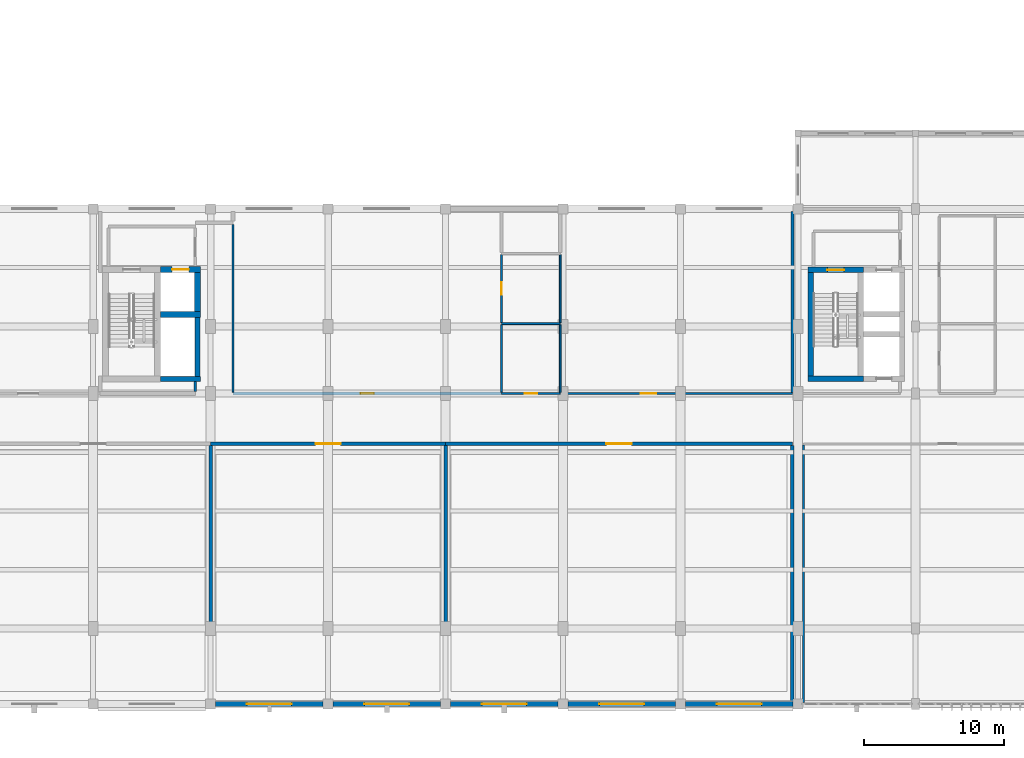
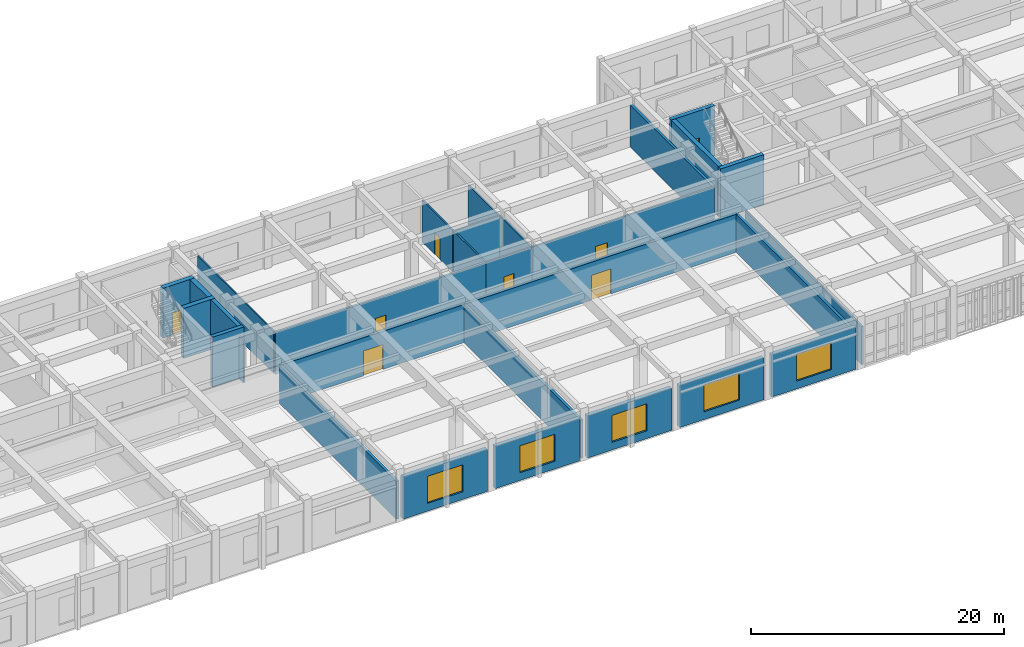
# One storey, part 87 of 106: 30 walls, 8 doors, 5 windows, 13 openings.
"""IFC4 building model written with IfcOpenShell, lengths in metres."""

from ifc_helpers import new_model, si_unit, direction, frame, frame_2d, origin, place, context, subcontext, project, spatial, rectangle, extrude, material, layer, layer_set, type_object, element, fill, save


model = new_model("IFC4")

# Units and contexts
model_context = context("Model", 3, precision=1e-05, world=origin(), true_north=direction((0.0, 1.0)))
body_context = subcontext(model_context, "Body", "Model", "MODEL_VIEW")
ifc_project = project(units=[si_unit("LENGTHUNIT", "METRE"), si_unit("AREAUNIT", "SQUARE_METRE"), si_unit("VOLUMEUNIT", "CUBIC_METRE"), si_unit("PLANEANGLEUNIT", "RADIAN"), si_unit("MASSUNIT", "GRAM", prefix="KILO")], contexts=[model_context])

# Site, building, storey
site_placement = place(None, origin())
site = spatial("IfcSite", under=ifc_project, at=site_placement, CompositionType="ELEMENT")
building_placement = place(site_placement, origin())
building = spatial("IfcBuilding", under=site, at=building_placement, Name="Krzemoval Escarpment Law Courts", CompositionType="ELEMENT")
storey_placement = place(building_placement, frame((0.0, 0.0, 5.10009765625)))
storey = spatial("IfcBuildingStorey", under=building, at=storey_placement, Name="L01", CompositionType="ELEMENT", Elevation=5.10009765625)

# Wall, opening, window
ifc_material_1 = material(Name="Precast concrete C40/50", Category="concrete")
ifc_layer_1 = layer(ifc_material_1, 0.360107421875)
ifc_layer_set_1 = layer_set([ifc_layer_1], Name="Precast concrete C40/50")
wall_type_1 = type_object("IfcWallType", Name="WL-EXT-360", PredefinedType="SOLIDWALL", material=ifc_layer_set_1)
wall_1_placement = place(storey_placement, frame((108.85009765625, 0.0, 0.0), z_axis=(0.0, 0.0, 1.0), x_axis=(-1.0, 0.0, 0.0)))
wall_1 = element("IfcWall", 1, at=wall_1_placement, inside=storey, type_object=wall_type_1, Name="Exterior Wall EW-L01-0227", PredefinedType="SOLIDWALL", context=body_context, shape_type="SweptSolid", body=[
    extrude(rectangle(XDim=7.7001953125, YDim=0.360107421875, at=frame_2d((3.85009765625, 0.0))), origin(), (0.0, 0.0, 1.0), 4.06982421875),
])
opening_1_placement = place(wall_1_placement, frame((2.25, 0.0, 0.75)))
opening_1 = element("IfcOpeningElement", 2, at=opening_1_placement, cuts=wall_1, Name="Opening WN-L01-0228", PredefinedType="OPENING", context=body_context, shape_type="SweptSolid", body=[
    extrude(rectangle(XDim=3.199951171875, YDim=2.60009765625, at=frame_2d((1.60009765625, 1.300048828125))), frame((0.0, 0.19505, 0.0), z_axis=(0.0, -1.0, 0.0), x_axis=(1.0, 0.0, 0.0)), (0.0, 0.0, 1.0), 0.39011),
])
ifc_material_2 = material(Name="Thermally Broken Aluminium Frame with Triple Low-E Acoustic Glass", Category="aluminium")
window_type = type_object("IfcWindowType", Name="WN-3200x2600", PartitioningType="SINGLE_PANEL", PredefinedType="WINDOW", material=ifc_material_2)
window_1_placement = place(opening_1_placement, origin())
window_1 = element("IfcWindow", 3, at=window_1_placement, inside=storey, type_object=window_type, Name="Facade Window WN-L01-0228", OverallHeight=2.60009765625, OverallWidth=3.199951171875, PartitioningType="SINGLE_PANEL", PredefinedType="WINDOW", context=body_context, shape_type="SweptSolid", body=[
    extrude(rectangle(XDim=3.199951171875, YDim=2.60009765625, at=frame_2d((1.60009765625, 1.300048828125))), frame((0.0, 0.030029296875, 0.0), z_axis=(0.0, -1.0, 0.0), x_axis=(1.0, 0.0, 0.0)), (0.0, 0.0, 1.0), 0.06005859375),
])
fill(opening_1, window_1)

wall_2_placement = place(storey_placement, frame((100.449951171875, 0.0, 0.0), z_axis=(0.0, 0.0, 1.0), x_axis=(-1.0, 0.0, 0.0)))
wall_2 = element("IfcWall", 4, at=wall_2_placement, inside=storey, type_object=wall_type_1, Name="Exterior Wall EW-L01-0228", PredefinedType="SOLIDWALL", context=body_context, shape_type="SweptSolid", body=[
    extrude(rectangle(XDim=7.699951171875, YDim=0.360107421875, at=frame_2d((3.85009765625, 0.0))), origin(), (0.0, 0.0, 1.0), 4.06982421875),
])
opening_2_placement = place(wall_2_placement, frame((2.25, 0.0, 0.75)))
opening_2 = element("IfcOpeningElement", 5, at=opening_2_placement, cuts=wall_2, Name="Opening WN-L01-0229", PredefinedType="OPENING", context=body_context, shape_type="SweptSolid", body=[
    extrude(rectangle(XDim=3.199951171875, YDim=2.60009765625, at=frame_2d((1.60009765625, 1.300048828125))), frame((0.0, 0.19505, 0.0), z_axis=(0.0, -1.0, 0.0), x_axis=(1.0, 0.0, 0.0)), (0.0, 0.0, 1.0), 0.39011),
])
window_2_placement = place(opening_2_placement, origin())
window_2 = element("IfcWindow", 6, at=window_2_placement, inside=storey, type_object=window_type, Name="Facade Window WN-L01-0229", OverallHeight=2.60009765625, OverallWidth=3.199951171875, PartitioningType="SINGLE_PANEL", PredefinedType="WINDOW", context=body_context, shape_type="SweptSolid", body=[
    extrude(rectangle(XDim=3.199951171875, YDim=2.60009765625, at=frame_2d((1.60009765625, 1.300048828125))), frame((0.0, 0.030029296875, 0.0), z_axis=(0.0, -1.0, 0.0), x_axis=(1.0, 0.0, 0.0)), (0.0, 0.0, 1.0), 0.06005859375),
])
fill(opening_2, window_2)

wall_3_placement = place(storey_placement, frame((92.050048828125, 0.0, 0.0), z_axis=(0.0, 0.0, 1.0), x_axis=(-1.0, 0.0, 0.0)))
wall_3 = element("IfcWall", 7, at=wall_3_placement, inside=storey, type_object=wall_type_1, Name="Exterior Wall EW-L01-0229", PredefinedType="SOLIDWALL", context=body_context, shape_type="SweptSolid", body=[
    extrude(rectangle(XDim=7.699951171875, YDim=0.360107421875, at=frame_2d((3.85009765625, 0.0))), origin(), (0.0, 0.0, 1.0), 4.06982421875),
])
opening_3_placement = place(wall_3_placement, frame((2.25, 0.0, 0.75)))
opening_3 = element("IfcOpeningElement", 8, at=opening_3_placement, cuts=wall_3, Name="Opening WN-L01-0230", PredefinedType="OPENING", context=body_context, shape_type="SweptSolid", body=[
    extrude(rectangle(XDim=3.199951171875, YDim=2.60009765625, at=frame_2d((1.60009765625, 1.300048828125))), frame((0.0, 0.19505, 0.0), z_axis=(0.0, -1.0, 0.0), x_axis=(1.0, 0.0, 0.0)), (0.0, 0.0, 1.0), 0.39011),
])
window_3_placement = place(opening_3_placement, origin())
window_3 = element("IfcWindow", 9, at=window_3_placement, inside=storey, type_object=window_type, Name="Facade Window WN-L01-0230", OverallHeight=2.60009765625, OverallWidth=3.199951171875, PartitioningType="SINGLE_PANEL", PredefinedType="WINDOW", context=body_context, shape_type="SweptSolid", body=[
    extrude(rectangle(XDim=3.199951171875, YDim=2.60009765625, at=frame_2d((1.60009765625, 1.300048828125))), frame((0.0, 0.030029296875, 0.0), z_axis=(0.0, -1.0, 0.0), x_axis=(1.0, 0.0, 0.0)), (0.0, 0.0, 1.0), 0.06005859375),
])
fill(opening_3, window_3)

wall_4_placement = place(storey_placement, frame((83.64990234375, 0.0, 0.0), z_axis=(0.0, 0.0, 1.0), x_axis=(-1.0, 0.0, 0.0)))
wall_4 = element("IfcWall", 10, at=wall_4_placement, inside=storey, type_object=wall_type_1, Name="Exterior Wall EW-L01-0230", PredefinedType="SOLIDWALL", context=body_context, shape_type="SweptSolid", body=[
    extrude(rectangle(XDim=7.699951171875, YDim=0.360107421875, at=frame_2d((3.85009765625, 0.0))), origin(), (0.0, 0.0, 1.0), 4.06982421875),
])
opening_4_placement = place(wall_4_placement, frame((2.25, 0.0, 0.75)))
opening_4 = element("IfcOpeningElement", 11, at=opening_4_placement, cuts=wall_4, Name="Opening WN-L01-0231", PredefinedType="OPENING", context=body_context, shape_type="SweptSolid", body=[
    extrude(rectangle(XDim=3.199951171875, YDim=2.60009765625, at=frame_2d((1.60009765625, 1.300048828125))), frame((0.0, 0.19505, 0.0), z_axis=(0.0, -1.0, 0.0), x_axis=(1.0, 0.0, 0.0)), (0.0, 0.0, 1.0), 0.39011),
])
window_4_placement = place(opening_4_placement, origin())
window_4 = element("IfcWindow", 12, at=window_4_placement, inside=storey, type_object=window_type, Name="Facade Window WN-L01-0231", OverallHeight=2.60009765625, OverallWidth=3.199951171875, PartitioningType="SINGLE_PANEL", PredefinedType="WINDOW", context=body_context, shape_type="SweptSolid", body=[
    extrude(rectangle(XDim=3.199951171875, YDim=2.60009765625, at=frame_2d((1.60009765625, 1.300048828125))), frame((0.0, 0.030029296875, 0.0), z_axis=(0.0, -1.0, 0.0), x_axis=(1.0, 0.0, 0.0)), (0.0, 0.0, 1.0), 0.06005859375),
])
fill(opening_4, window_4)

wall_5_placement = place(storey_placement, frame((75.25, 0.0, 0.0), z_axis=(0.0, 0.0, 1.0), x_axis=(-1.0, 0.0, 0.0)))
wall_5 = element("IfcWall", 13, at=wall_5_placement, inside=storey, type_object=wall_type_1, Name="Exterior Wall EW-L01-0231", PredefinedType="SOLIDWALL", context=body_context, shape_type="SweptSolid", body=[
    extrude(rectangle(XDim=7.699951171875, YDim=0.360107421875, at=frame_2d((3.85009765625, 0.0))), origin(), (0.0, 0.0, 1.0), 4.06982421875),
])
opening_5_placement = place(wall_5_placement, frame((2.25, 0.0, 0.75)))
opening_5 = element("IfcOpeningElement", 14, at=opening_5_placement, cuts=wall_5, Name="Opening WN-L01-0232", PredefinedType="OPENING", context=body_context, shape_type="SweptSolid", body=[
    extrude(rectangle(XDim=3.199951171875, YDim=2.60009765625, at=frame_2d((1.60009765625, 1.300048828125))), frame((0.0, 0.19505, 0.0), z_axis=(0.0, -1.0, 0.0), x_axis=(1.0, 0.0, 0.0)), (0.0, 0.0, 1.0), 0.39011),
])
window_5_placement = place(opening_5_placement, origin())
window_5 = element("IfcWindow", 15, at=window_5_placement, inside=storey, type_object=window_type, Name="Facade Window WN-L01-0232", OverallHeight=2.60009765625, OverallWidth=3.199951171875, PartitioningType="SINGLE_PANEL", PredefinedType="WINDOW", context=body_context, shape_type="SweptSolid", body=[
    extrude(rectangle(XDim=3.199951171875, YDim=2.60009765625, at=frame_2d((1.60009765625, 1.300048828125))), frame((0.0, 0.030029296875, 0.0), z_axis=(0.0, -1.0, 0.0), x_axis=(1.0, 0.0, 0.0)), (0.0, 0.0, 1.0), 0.06005859375),
])
fill(opening_5, window_5)

# Wall
ifc_material_3 = material(Name="Light Internal Subdivision Partition", Category="gypsum")
ifc_layer_2 = layer(ifc_material_3, 0.114990234375)
ifc_layer_set_2 = layer_set([ifc_layer_2], Name="Light Internal Subdivision Partition")
wall_type_2 = type_object("IfcWallType", Name="WL-PRT-115", PredefinedType="PARTITIONING", material=ifc_layer_set_2)
wall_6_placement = place(storey_placement, frame((68.800048828125, 22.302001953125, 0.0), z_axis=(0.0, 0.0, 1.0), x_axis=(0.0, 1.0, 0.0)))
element("IfcWall", 16, at=wall_6_placement, inside=storey, type_object=wall_type_2, Name="Interior Partition PW-L01-0326", PredefinedType="PARTITIONING", context=body_context, shape_type="SweptSolid", body=[
    extrude(rectangle(XDim=11.97607421875, YDim=0.114990234375, at=frame_2d((5.988037109375, 0.0))), origin(), (0.0, 0.0, 1.0), 4.06982421875),
])

# Wall, opening, door
ifc_material_4 = material(Name="Sanitary Moisture-Resistant Partition", Category="gypsum")
ifc_layer_3 = layer(ifc_material_4, 0.139892578125)
ifc_layer_set_3 = layer_set([ifc_layer_3], Name="Sanitary Moisture-Resistant Partition")
wall_type_3 = type_object("IfcWallType", Name="WL-PRT-140", PredefinedType="PARTITIONING", material=ifc_layer_set_3)
wall_7_placement = place(storey_placement, frame((88.0, 22.199951171875, 0.0), z_axis=(0.0, 0.0, 1.0), x_axis=(1.0, 0.0, 0.0)))
wall_7 = element("IfcWall", 17, at=wall_7_placement, inside=storey, type_object=wall_type_3, Name="Interior Partition PW-L01-0241", PredefinedType="PARTITIONING", context=body_context, shape_type="SweptSolid", body=[
    extrude(rectangle(XDim=4.199951171875, YDim=0.139892578125, at=frame_2d((2.10009765625, 0.0))), origin(), (0.0, 0.0, 1.0), 4.06982421875),
])
opening_6_placement = place(wall_7_placement, frame((1.64990234375, 0.0, 0.0)))
opening_6 = element("IfcOpeningElement", 18, at=opening_6_placement, cuts=wall_7, Name="Opening D-L01-0099", PredefinedType="OPENING", context=body_context, shape_type="SweptSolid", body=[
    extrude(rectangle(XDim=0.89990234375, YDim=2.10009765625, at=frame_2d((0.449951171875, 1.050048828125))), frame((0.0, 0.08495, 0.0), z_axis=(0.0, -1.0, 0.0), x_axis=(1.0, 0.0, 0.0)), (0.0, 0.0, 1.0), 0.16989),
])
ifc_material_5 = material(Name="Engineered Solid-Core Oak Acoustic Timber", Category="wood")
door_type_1 = type_object("IfcDoorType", Name="DR-INT-900x2100", OperationType="SINGLE_SWING_LEFT", PredefinedType="DOOR", material=ifc_material_5)
door_1_placement = place(opening_6_placement, origin())
door_1 = element("IfcDoor", 19, at=door_1_placement, inside=storey, type_object=door_type_1, Name="Room Door D-L01-0099", OperationType="SINGLE_SWING_LEFT", OverallHeight=2.10009765625, OverallWidth=0.89990234375, PredefinedType="DOOR", context=body_context, shape_type="SweptSolid", body=[
    extrude(rectangle(XDim=0.89990234375, YDim=2.10009765625, at=frame_2d((0.449951171875, 1.050048828125))), frame((0.0, 0.02490234375, 0.0), z_axis=(0.0, -1.0, 0.0), x_axis=(1.0, 0.0, 0.0)), (0.0, 0.0, 1.0), 0.050048828125),
])
fill(opening_6, door_1)

# Walls
wall_8_placement = place(storey_placement, frame((88.0, 27.199951171875, 0.0), z_axis=(0.0, 0.0, 1.0), x_axis=(1.0, 0.0, 0.0)))
element("IfcWall", 20, at=wall_8_placement, inside=storey, type_object=wall_type_3, Name="Interior Partition PW-L01-0246", PredefinedType="PARTITIONING", context=body_context, shape_type="SweptSolid", body=[
    extrude(rectangle(XDim=4.199951171875, YDim=0.139892578125, at=frame_2d((2.10009765625, 0.0))), origin(), (0.0, 0.0, 1.0), 4.06982421875),
])
wall_9_placement = place(storey_placement, frame((88.0, 22.302001953125, 0.0), z_axis=(0.0, 0.0, 1.0), x_axis=(0.0, 1.0, 0.0)))
element("IfcWall", 21, at=wall_9_placement, inside=storey, type_object=wall_type_3, Name="Interior Partition PW-L01-0330", PredefinedType="PARTITIONING", context=body_context, shape_type="SweptSolid", body=[
    extrude(rectangle(XDim=4.825927734375, YDim=0.139892578125, at=frame_2d((2.4130859375, 0.0))), origin(), (0.0, 0.0, 1.0), 4.06982421875),
])

# Wall, opening, door
wall_10_placement = place(storey_placement, frame((88.0, 27.27197265625, 0.0), z_axis=(0.0, 0.0, 1.0), x_axis=(0.0, 1.0, 0.0)))
wall_10 = element("IfcWall", 22, at=wall_10_placement, inside=storey, type_object=wall_type_3, Name="Interior Partition PW-L01-0331", PredefinedType="PARTITIONING", context=body_context, shape_type="SweptSolid", body=[
    extrude(rectangle(XDim=4.85595703125, YDim=0.139892578125, at=frame_2d((2.427978515625, 0.0))), origin(), (0.0, 0.0, 1.0), 4.06982421875),
])
opening_7_placement = place(wall_10_placement, frame((1.97802734375, 0.0, 0.0)))
opening_7 = element("IfcOpeningElement", 23, at=opening_7_placement, cuts=wall_10, Name="Opening D-L01-0100", PredefinedType="OPENING", context=body_context, shape_type="SweptSolid", body=[
    extrude(rectangle(XDim=0.89990234375, YDim=2.10009765625, at=frame_2d((0.449951171875, 1.050048828125))), frame((0.0, 0.08495, 0.0), z_axis=(0.0, -1.0, 0.0), x_axis=(1.0, 0.0, 0.0)), (0.0, 0.0, 1.0), 0.16989),
])
door_2_placement = place(opening_7_placement, origin())
door_2 = element("IfcDoor", 24, at=door_2_placement, inside=storey, type_object=door_type_1, Name="Room Door D-L01-0100", OperationType="SINGLE_SWING_RIGHT", OverallHeight=2.10009765625, OverallWidth=0.89990234375, PredefinedType="DOOR", context=body_context, shape_type="SweptSolid", body=[
    extrude(rectangle(XDim=0.89990234375, YDim=2.10009765625, at=frame_2d((0.449951171875, 1.050048828125))), frame((0.0, 0.02490234375, 0.0), z_axis=(0.0, -1.0, 0.0), x_axis=(1.0, 0.0, 0.0)), (0.0, 0.0, 1.0), 0.050048828125),
])
fill(opening_7, door_2)

# Walls
wall_11_placement = place(storey_placement, frame((92.199951171875, 22.281982421875, 0.0), z_axis=(0.0, 0.0, 1.0), x_axis=(0.0, 1.0, 0.0)))
element("IfcWall", 25, at=wall_11_placement, inside=storey, type_object=wall_type_3, Name="Interior Partition PW-L01-0332", PredefinedType="PARTITIONING", context=body_context, shape_type="SweptSolid", body=[
    extrude(rectangle(XDim=4.845947265625, YDim=0.139892578125, at=frame_2d((2.4228515625, 0.0))), origin(), (0.0, 0.0, 1.0), 4.06982421875),
])
wall_12_placement = place(storey_placement, frame((92.199951171875, 27.27197265625, 0.0), z_axis=(0.0, 0.0, 1.0), x_axis=(0.0, 1.0, 0.0)))
element("IfcWall", 26, at=wall_12_placement, inside=storey, type_object=wall_type_3, Name="Interior Partition PW-L01-0333", PredefinedType="PARTITIONING", context=body_context, shape_type="SweptSolid", body=[
    extrude(rectangle(XDim=4.85595703125, YDim=0.139892578125, at=frame_2d((2.427978515625, 0.0))), origin(), (0.0, 0.0, 1.0), 4.02001953125),
])
ifc_material_6 = material(Name="Office Acoustic Partition Wall", Category="gypsum")
ifc_layer_4 = layer(ifc_material_6, 0.14990234375)
ifc_layer_set_4 = layer_set([ifc_layer_4], Name="Office Acoustic Partition Wall")
wall_type_4 = type_object("IfcWallType", Name="WL-PRT-150", PredefinedType="PARTITIONING", material=ifc_layer_set_4)
wall_13_placement = place(storey_placement, frame((66.10009765625, 22.33203125, 0.0), z_axis=(0.0, 0.0, 1.0), x_axis=(0.0, 1.0, 0.0)))
element("IfcWall", 27, at=wall_13_placement, inside=storey, type_object=wall_type_4, Name="Interior Partition PW-L01-0323", PredefinedType="PARTITIONING", context=body_context, shape_type="SweptSolid", body=[
    extrude(rectangle(XDim=0.73095703125, YDim=0.14990234375, at=frame_2d((0.365478515625, 0.0))), origin(), (0.0, 0.0, 1.0), 4.06982421875),
])

# Wall, opening, door
ifc_material_7 = material(Name="Jury Suite Partition Assembly", Category="gypsum")
ifc_layer_5 = layer(ifc_material_7, 0.159912109375)
ifc_layer_set_5 = layer_set([ifc_layer_5], Name="Jury Suite Partition Assembly")
wall_type_5 = type_object("IfcWallType", Name="WL-PRT-160", PredefinedType="PARTITIONING", material=ifc_layer_set_5)
wall_14_placement = place(storey_placement, frame((92.199951171875, 22.199951171875, 0.0), z_axis=(0.0, 0.0, 1.0), x_axis=(1.0, 0.0, 0.0)))
wall_14 = element("IfcWall", 28, at=wall_14_placement, inside=storey, type_object=wall_type_5, Name="Interior Partition PW-L01-0242", PredefinedType="PARTITIONING", context=body_context, shape_type="SweptSolid", body=[
    extrude(rectangle(XDim=16.60009765625, YDim=0.159912109375, at=frame_2d((8.300048828125, 0.0))), origin(), (0.0, 0.0, 1.0), 4.06982421875),
])
opening_8_placement = place(wall_14_placement, frame((5.75, 0.0, 0.0)))
opening_8 = element("IfcOpeningElement", 29, at=opening_8_placement, cuts=wall_14, Name="Opening D-L01-0101", PredefinedType="OPENING", context=body_context, shape_type="SweptSolid", body=[
    extrude(rectangle(XDim=1.10009765625, YDim=2.10009765625, at=frame_2d((0.550048828125, 1.050048828125))), frame((0.0, 0.09496, 0.0), z_axis=(0.0, -1.0, 0.0), x_axis=(1.0, 0.0, 0.0)), (0.0, 0.0, 1.0), 0.18991),
])
ifc_material_8 = material(Name="Engineered Solid-Core Oak Acoustic Timber", Category="wood")
door_type_2 = type_object("IfcDoorType", Name="DR-INT-1100x2100", OperationType="SINGLE_SWING_LEFT", PredefinedType="DOOR", material=ifc_material_8)
door_3_placement = place(opening_8_placement, origin())
door_3 = element("IfcDoor", 30, at=door_3_placement, inside=storey, type_object=door_type_2, Name="Room Door D-L01-0101", OperationType="SINGLE_SWING_LEFT", OverallHeight=2.10009765625, OverallWidth=1.10009765625, PredefinedType="DOOR", context=body_context, shape_type="SweptSolid", body=[
    extrude(rectangle(XDim=1.10009765625, YDim=2.10009765625, at=frame_2d((0.550048828125, 1.050048828125))), frame((0.0, 0.02490234375, 0.0), z_axis=(0.0, -1.0, 0.0), x_axis=(1.0, 0.0, 0.0)), (0.0, 0.0, 1.0), 0.050048828125),
])
fill(opening_8, door_3)

# Wall
wall_15_placement = place(storey_placement, frame((109.60009765625, 0.114990234375, 0.0), z_axis=(0.0, 0.0, 1.0), x_axis=(0.0, 1.0, 0.0)))
element("IfcWall", 31, at=wall_15_placement, inside=storey, type_object=wall_type_5, Name="Interior Partition PW-L01-0338", PredefinedType="PARTITIONING", context=body_context, shape_type="SweptSolid", body=[
    extrude(rectangle(XDim=18.4130859375, YDim=0.159912109375, at=frame_2d((9.20654296875, 0.0))), origin(), (0.0, 0.0, 1.0), 3.669921875),
])

# Wall, opening, door
ifc_material_9 = material(Name="Fire-Rated Corridor Partition Wall", Category="gypsum")
ifc_layer_6 = layer(ifc_material_9, 0.199951171875)
ifc_layer_set_6 = layer_set([ifc_layer_6], Name="Fire-Rated Corridor Partition Wall")
wall_type_6 = type_object("IfcWallType", Name="WL-PRT-200", PredefinedType="PARTITIONING", material=ifc_layer_set_6)
wall_16_placement = place(storey_placement, frame((68.800048828125, 22.199951171875, 0.0), z_axis=(0.0, 0.0, 1.0), x_axis=(1.0, 0.0, 0.0)))
wall_16 = element("IfcWall", 32, at=wall_16_placement, inside=storey, type_object=wall_type_6, Name="Interior Partition PW-L01-0240", PredefinedType="PARTITIONING", context=body_context, shape_type="SweptSolid", body=[
    extrude(rectangle(XDim=19.199951171875, YDim=0.199951171875, at=frame_2d((9.60009765625, 0.0))), origin(), (0.0, 0.0, 1.0), 4.06982421875),
])
opening_9_placement = place(wall_16_placement, frame((9.125, 0.0, 0.0)))
opening_9 = element("IfcOpeningElement", 33, at=opening_9_placement, cuts=wall_16, Name="Opening D-L01-0098", PredefinedType="OPENING", context=body_context, shape_type="SweptSolid", body=[
    extrude(rectangle(XDim=0.949951171875, YDim=2.199951171875, at=frame_2d((0.47509765625, 1.10009765625))), frame((0.0, 0.11498, 0.0), z_axis=(0.0, -1.0, 0.0), x_axis=(1.0, 0.0, 0.0)), (0.0, 0.0, 1.0), 0.22995),
])
ifc_material_10 = material(Name="Engineered Solid-Core Oak Acoustic Timber", Category="wood")
door_type_3 = type_object("IfcDoorType", Name="DR-INT-950x2200", OperationType="SINGLE_SWING_LEFT", PredefinedType="DOOR", material=ifc_material_10)
door_4_placement = place(opening_9_placement, origin())
door_4 = element("IfcDoor", 34, at=door_4_placement, inside=storey, type_object=door_type_3, Name="Room Door D-L01-0098", OperationType="SINGLE_SWING_RIGHT", OverallHeight=2.199951171875, OverallWidth=0.949951171875, PredefinedType="DOOR", context=body_context, shape_type="SweptSolid", body=[
    extrude(rectangle(XDim=0.949951171875, YDim=2.199951171875, at=frame_2d((0.47509765625, 1.10009765625))), frame((0.0, 0.02490234375, 0.0), z_axis=(0.0, -1.0, 0.0), x_axis=(1.0, 0.0, 0.0)), (0.0, 0.0, 1.0), 0.050048828125),
])
fill(opening_9, door_4)

# Wall
ifc_material_11 = material(Name="Solid Calcium-Silicate Custody Blockwork Partition", Category="masonry")
ifc_layer_7 = layer(ifc_material_11, 0.219970703125)
ifc_layer_set_7 = layer_set([ifc_layer_7], Name="Solid Calcium-Silicate Custody Blockwork Partition")
wall_type_7 = type_object("IfcWallType", Name="WL-PRT-220", PredefinedType="PARTITIONING", material=ifc_layer_set_7)
wall_17_placement = place(storey_placement, frame((108.800048828125, 22.281982421875, 0.0), z_axis=(0.0, 0.0, 1.0), x_axis=(0.0, 1.0, 0.0)))
element("IfcWall", 35, at=wall_17_placement, inside=storey, type_object=wall_type_7, Name="Interior Partition PW-L01-0337", PredefinedType="PARTITIONING", context=body_context, shape_type="SweptSolid", body=[
    extrude(rectangle(XDim=12.93603515625, YDim=0.219970703125, at=frame_2d((6.468017578125, 0.0))), origin(), (0.0, 0.0, 1.0), 4.06982421875),
])

# Wall, opening, door
ifc_material_12 = material(Name="Acoustic Courtroom Partition Assembly", Category="gypsum")
ifc_layer_8 = layer(ifc_material_12, 0.239990234375)
ifc_layer_set_8 = layer_set([ifc_layer_8], Name="Acoustic Courtroom Partition Assembly")
wall_type_8 = type_object("IfcWallType", Name="WL-PRT-240", PredefinedType="PARTITIONING", material=ifc_layer_set_8)
wall_18_placement = place(storey_placement, frame((84.0, 18.60009765625, 0.0), z_axis=(0.0, 0.0, 1.0), x_axis=(1.0, 0.0, 0.0)))
wall_18 = element("IfcWall", 36, at=wall_18_placement, inside=storey, type_object=wall_type_8, Name="Interior Partition PW-L01-0230", PredefinedType="PARTITIONING", context=body_context, shape_type="SweptSolid", body=[
    extrude(rectangle(XDim=24.800048828125, YDim=0.239990234375, at=frame_2d((12.39990234375, 0.0))), origin(), (0.0, 0.0, 1.0), 3.669921875),
])
opening_10_placement = place(wall_18_placement, frame((11.5, 0.0, 0.0)))
opening_10 = element("IfcOpeningElement", 37, at=opening_10_placement, cuts=wall_18, Name="Opening D-L01-0095", PredefinedType="OPENING", context=body_context, shape_type="SweptSolid", body=[
    extrude(rectangle(XDim=1.800048828125, YDim=2.39990234375, at=frame_2d((0.89990234375, 1.199951171875))), frame((0.0, 0.135, 0.0), z_axis=(0.0, -1.0, 0.0), x_axis=(1.0, 0.0, 0.0)), (0.0, 0.0, 1.0), 0.26999),
])
ifc_material_13 = material(Name="Engineered Solid-Core Oak Acoustic Timber", Category="wood")
door_type_4 = type_object("IfcDoorType", Name="DR-CRT-1800x2400", OperationType="SINGLE_SWING_LEFT", PredefinedType="DOOR", material=ifc_material_13)
door_5_placement = place(opening_10_placement, origin())
door_5 = element("IfcDoor", 38, at=door_5_placement, inside=storey, type_object=door_type_4, Name="Room Door D-L01-0095", OperationType="SINGLE_SWING_LEFT", OverallHeight=2.39990234375, OverallWidth=1.800048828125, PredefinedType="DOOR", context=body_context, shape_type="SweptSolid", body=[
    extrude(rectangle(XDim=1.800048828125, YDim=2.39990234375, at=frame_2d((0.89990234375, 1.199951171875))), frame((0.0, 0.02490234375, 0.0), z_axis=(0.0, -1.0, 0.0), x_axis=(1.0, 0.0, 0.0)), (0.0, 0.0, 1.0), 0.050048828125),
])
fill(opening_10, door_5)

# Walls
for number, where, z_axis, x_axis, name in (
    (39, (67.199951171875, 0.06494140625, 0.0), (0.0, 0.0, 1.0), (0.0, 1.0, 0.0), "Interior Partition PW-L01-0324"),
    (40, (84.0, 0.06494140625, 0.0), (0.0, 0.0, 1.0), (0.0, 1.0, 0.0), "Interior Partition PW-L01-0328"),
):
    element("IfcWall", number, at=place(storey_placement, frame(where, z_axis=z_axis, x_axis=x_axis)), inside=storey, type_object=wall_type_8, Name=name, PredefinedType="PARTITIONING", context=body_context, shape_type="SweptSolid", body=[
        extrude(rectangle(XDim=18.403076171875, YDim=0.239990234375, at=frame_2d((9.20166015625, 0.0))), origin(), (0.0, 0.0, 1.0), 3.669921875),
    ])
wall_19_placement = place(storey_placement, frame((108.800048828125, 0.181884765625, 0.0), z_axis=(0.0, 0.0, 1.0), x_axis=(0.0, 1.0, 0.0)))
element("IfcWall", 41, at=wall_19_placement, inside=storey, type_object=wall_type_8, Name="Interior Partition PW-L01-0336", PredefinedType="PARTITIONING", context=body_context, shape_type="SweptSolid", body=[
    extrude(rectangle(XDim=18.296142578125, YDim=0.239990234375, at=frame_2d((9.14794921875, 0.0))), origin(), (0.0, 0.0, 1.0), 3.669921875),
])

# Wall, opening, door
ifc_material_14 = material(Name="Acoustic Double-Stud Gypsum and Mineral Wool Wall", Category="gypsum")
ifc_layer_9 = layer(ifc_material_14, 0.260009765625)
ifc_layer_set_9 = layer_set([ifc_layer_9], Name="Acoustic Double-Stud Gypsum and Mineral Wool Wall")
wall_type_9 = type_object("IfcWallType", Name="WL-PRT-260", PredefinedType="PARTITIONING", material=ifc_layer_set_9)
wall_20_placement = place(storey_placement, frame((67.199951171875, 18.60009765625, 0.0), z_axis=(0.0, 0.0, 1.0), x_axis=(1.0, 0.0, 0.0)))
wall_20 = element("IfcWall", 42, at=wall_20_placement, inside=storey, type_object=wall_type_9, Name="Interior Partition PW-L01-0229", PredefinedType="PARTITIONING", context=body_context, shape_type="SweptSolid", body=[
    extrude(rectangle(XDim=16.800048828125, YDim=0.260009765625, at=frame_2d((8.39990234375, 0.0))), origin(), (0.0, 0.0, 1.0), 3.669921875),
])
opening_11_placement = place(wall_20_placement, frame((7.5, 0.0, 0.0)))
opening_11 = element("IfcOpeningElement", 43, at=opening_11_placement, cuts=wall_20, Name="Opening D-L01-0094", PredefinedType="OPENING", context=body_context, shape_type="SweptSolid", body=[
    extrude(rectangle(XDim=1.800048828125, YDim=2.39990234375, at=frame_2d((0.89990234375, 1.199951171875))), frame((0.0, 0.145, 0.0), z_axis=(0.0, -1.0, 0.0), x_axis=(1.0, 0.0, 0.0)), (0.0, 0.0, 1.0), 0.29001),
])
door_6_placement = place(opening_11_placement, origin())
door_6 = element("IfcDoor", 44, at=door_6_placement, inside=storey, type_object=door_type_4, Name="Room Door D-L01-0094", OperationType="SINGLE_SWING_LEFT", OverallHeight=2.39990234375, OverallWidth=1.800048828125, PredefinedType="DOOR", context=body_context, shape_type="SweptSolid", body=[
    extrude(rectangle(XDim=1.800048828125, YDim=2.39990234375, at=frame_2d((0.89990234375, 1.199951171875))), frame((0.0, 0.02490234375, 0.0), z_axis=(0.0, -1.0, 0.0), x_axis=(1.0, 0.0, 0.0)), (0.0, 0.0, 1.0), 0.050048828125),
])
fill(opening_11, door_6)

# Walls
ifc_material_15 = material(Name="Concrete C40/50", Category="concrete")
ifc_layer_10 = layer(ifc_material_15, 0.35009765625)
ifc_layer_set_10 = layer_set([ifc_layer_10], Name="Concrete C40/50")
wall_type_10 = type_object("IfcWallType", Name="WL-SHW-350", PredefinedType="SHEAR", material=ifc_layer_set_10)
wall_21_placement = place(storey_placement, frame((63.6201171875, 23.239990234375, 0.0), z_axis=(0.0, 0.0, 1.0), x_axis=(1.0, 0.0, 0.0)))
element("IfcWall", 45, at=wall_21_placement, inside=storey, type_object=wall_type_10, Name="Riser Shaft Wall SW-L01-0476", PredefinedType="SHEAR", context=body_context, shape_type="SweptSolid", body=[
    extrude(rectangle(XDim=2.849853515625, YDim=0.35009765625, at=frame_2d((1.4248046875, 0.0))), origin(), (0.0, 0.0, 1.0), 4.81982421875),
])
wall_22_placement = place(storey_placement, frame((66.260009765625, 23.409912109375, 0.0), z_axis=(0.0, 0.0, 1.0), x_axis=(0.0, 1.0, 0.0)))
element("IfcWall", 46, at=wall_22_placement, inside=storey, type_object=wall_type_10, Name="Riser Shaft Wall SW-L01-0477", PredefinedType="SHEAR", context=body_context, shape_type="SweptSolid", body=[
    extrude(rectangle(XDim=4.64697265625, YDim=0.35009765625, at=frame_2d((2.323486328125, 0.0))), origin(), (0.0, 0.0, 1.0), 4.81982421875),
])

# Wall, opening, door
ifc_material_16 = material(Name="Concrete C40/50", Category="concrete")
ifc_layer_11 = layer(ifc_material_16, 0.3798828125)
ifc_layer_set_11 = layer_set([ifc_layer_11], Name="Concrete C40/50")
wall_type_11 = type_object("IfcWallType", Name="WL-SHW-380", PredefinedType="SHEAR", material=ifc_layer_set_11)
wall_23_placement = place(storey_placement, frame((109.919921875, 31.0400390625, 0.0), z_axis=(0.0, 0.0, 1.0), x_axis=(1.0, 0.0, 0.0)))
wall_23 = element("IfcWall", 47, at=wall_23_placement, inside=storey, type_object=wall_type_11, Name="Core Stair Shear Wall SW-L01-0562", PredefinedType="SHEAR", context=body_context, shape_type="SweptSolid", body=[
    extrude(rectangle(XDim=3.9599609375, YDim=0.3798828125, at=frame_2d((1.97998046875, 0.0))), origin(), (0.0, 0.0, 1.0), 4.81982421875),
])
opening_12_placement = place(wall_23_placement, frame((1.3798828125, 0.0, 0.0)))
opening_12 = element("IfcOpeningElement", 48, at=opening_12_placement, cuts=wall_23, Name="Opening SD-ST6-L01", PredefinedType="OPENING", context=body_context, shape_type="SweptSolid", body=[
    extrude(rectangle(XDim=1.199951171875, YDim=2.199951171875, at=frame_2d((0.60009765625, 1.10009765625))), frame((0.0, 0.20494, 0.0), z_axis=(0.0, -1.0, 0.0), x_axis=(1.0, 0.0, 0.0)), (0.0, 0.0, 1.0), 0.40988),
])
ifc_material_17 = material(Name="Galvanised Steel S355", Category="steel")
door_type_5 = type_object("IfcDoorType", Name="DR-STR-1200x2200", OperationType="SINGLE_SWING_LEFT", PredefinedType="DOOR", material=ifc_material_17)
door_7_placement = place(opening_12_placement, origin())
door_7 = element("IfcDoor", 49, at=door_7_placement, inside=storey, type_object=door_type_5, Name="Stair Exit Door SD-ST6-L01", OperationType="SINGLE_SWING_RIGHT", OverallHeight=2.199951171875, OverallWidth=1.199951171875, PredefinedType="DOOR", context=body_context, shape_type="SweptSolid", body=[
    extrude(rectangle(XDim=1.199951171875, YDim=2.199951171875, at=frame_2d((0.60009765625, 1.10009765625))), frame((0.0, 0.02490234375, 0.0), z_axis=(0.0, -1.0, 0.0), x_axis=(1.0, 0.0, 0.0)), (0.0, 0.0, 1.0), 0.050048828125),
])
fill(opening_12, door_7)

# Walls
wall_24_placement = place(storey_placement, frame((109.919921875, 23.260009765625, 0.0), z_axis=(0.0, 0.0, 1.0), x_axis=(1.0, 0.0, 0.0)))
element("IfcWall", 50, at=wall_24_placement, inside=storey, type_object=wall_type_11, Name="Core Stair Shear Wall SW-L01-0563", PredefinedType="SHEAR", context=body_context, shape_type="SweptSolid", body=[
    extrude(rectangle(XDim=3.9599609375, YDim=0.3798828125, at=frame_2d((1.97998046875, 0.0))), origin(), (0.0, 0.0, 1.0), 4.81982421875),
])
wall_25_placement = place(storey_placement, frame((110.110107421875, 23.451904296875, 0.0), z_axis=(0.0, 0.0, 1.0), x_axis=(0.0, 1.0, 0.0)))
element("IfcWall", 51, at=wall_25_placement, inside=storey, type_object=wall_type_11, Name="Core Stair Shear Wall SW-L01-0564", PredefinedType="SHEAR", context=body_context, shape_type="SweptSolid", body=[
    extrude(rectangle(XDim=7.39599609375, YDim=0.3798828125, at=frame_2d((3.697998046875, 0.0))), origin(), (0.0, 0.0, 1.0), 4.81982421875),
])
ifc_material_18 = material(Name="Concrete C40/50", Category="concrete")
ifc_layer_12 = layer(ifc_material_18, 0.419921875)
ifc_layer_set_12 = layer_set([ifc_layer_12], Name="Concrete C40/50")
wall_type_12 = type_object("IfcWallType", Name="WL-SHW-420", PredefinedType="SHEAR", material=ifc_layer_set_12)
wall_26_placement = place(storey_placement, frame((63.6220703125, 27.840087890625, 0.0), z_axis=(0.0, 0.0, 1.0), x_axis=(1.0, 0.0, 0.0)))
element("IfcWall", 52, at=wall_26_placement, inside=storey, type_object=wall_type_12, Name="Lift Shaft Shear Wall SW-L01-0473", PredefinedType="SHEAR", context=body_context, shape_type="SweptSolid", body=[
    extrude(rectangle(XDim=2.847900390625, YDim=0.419921875, at=frame_2d((1.423828125, 0.0))), origin(), (0.0, 0.0, 1.0), 4.81982421875),
])

# Wall, opening, door
wall_27_placement = place(storey_placement, frame((63.6201171875, 31.06005859375, 0.0), z_axis=(0.0, 0.0, 1.0), x_axis=(1.0, 0.0, 0.0)))
wall_27 = element("IfcWall", 53, at=wall_27_placement, inside=storey, type_object=wall_type_12, Name="Lift Shaft Shear Wall SW-L01-0474", PredefinedType="SHEAR", context=body_context, shape_type="SweptSolid", body=[
    extrude(rectangle(XDim=2.849853515625, YDim=0.419921875, at=frame_2d((1.4248046875, 0.0))), origin(), (0.0, 0.0, 1.0), 4.81982421875),
])
opening_13_placement = place(wall_27_placement, frame((0.824951171875, 0.0, 0.0)))
opening_13 = element("IfcOpeningElement", 54, at=opening_13_placement, cuts=wall_27, Name="Opening LD-PL3-L01", PredefinedType="OPENING", context=body_context, shape_type="SweptSolid", body=[
    extrude(rectangle(XDim=1.199951171875, YDim=2.14990234375, at=frame_2d((0.60009765625, 1.074951171875))), frame((0.0, 0.22496, 0.0), z_axis=(0.0, -1.0, 0.0), x_axis=(1.0, 0.0, 0.0)), (0.0, 0.0, 1.0), 0.44992),
])
ifc_material_19 = material(Name="Engineered Solid-Core Oak Acoustic Timber", Category="wood")
door_type_6 = type_object("IfcDoorType", Name="DR-LFT-1200x2150", OperationType="SINGLE_SWING_LEFT", PredefinedType="DOOR", material=ifc_material_19)
door_8_placement = place(opening_13_placement, origin())
door_8 = element("IfcDoor", 55, at=door_8_placement, inside=storey, type_object=door_type_6, Name="Lift Landing Door LD-PL3-L01", OperationType="DOUBLE_DOOR_SLIDING", OverallHeight=2.14990234375, OverallWidth=1.199951171875, PredefinedType="DOOR", context=body_context, shape_type="SweptSolid", body=[
    extrude(rectangle(XDim=1.199951171875, YDim=2.14990234375, at=frame_2d((0.60009765625, 1.074951171875))), frame((0.0, 0.02490234375, 0.0), z_axis=(0.0, -1.0, 0.0), x_axis=(1.0, 0.0, 0.0)), (0.0, 0.0, 1.0), 0.050048828125),
])
fill(opening_13, door_8)

# Wall
wall_28_placement = place(storey_placement, frame((66.260009765625, 28.052001953125, 0.0), z_axis=(0.0, 0.0, 1.0), x_axis=(0.0, 1.0, 0.0)))
element("IfcWall", 56, at=wall_28_placement, inside=storey, type_object=wall_type_12, Name="Lift Shaft Shear Wall SW-L01-0475", PredefinedType="SHEAR", context=body_context, shape_type="SweptSolid", body=[
    extrude(rectangle(XDim=2.7958984375, YDim=0.419921875, at=frame_2d((1.39794921875, 0.0))), origin(), (0.0, 0.0, 1.0), 4.81982421875),
])

save(model, "model.ifc")
